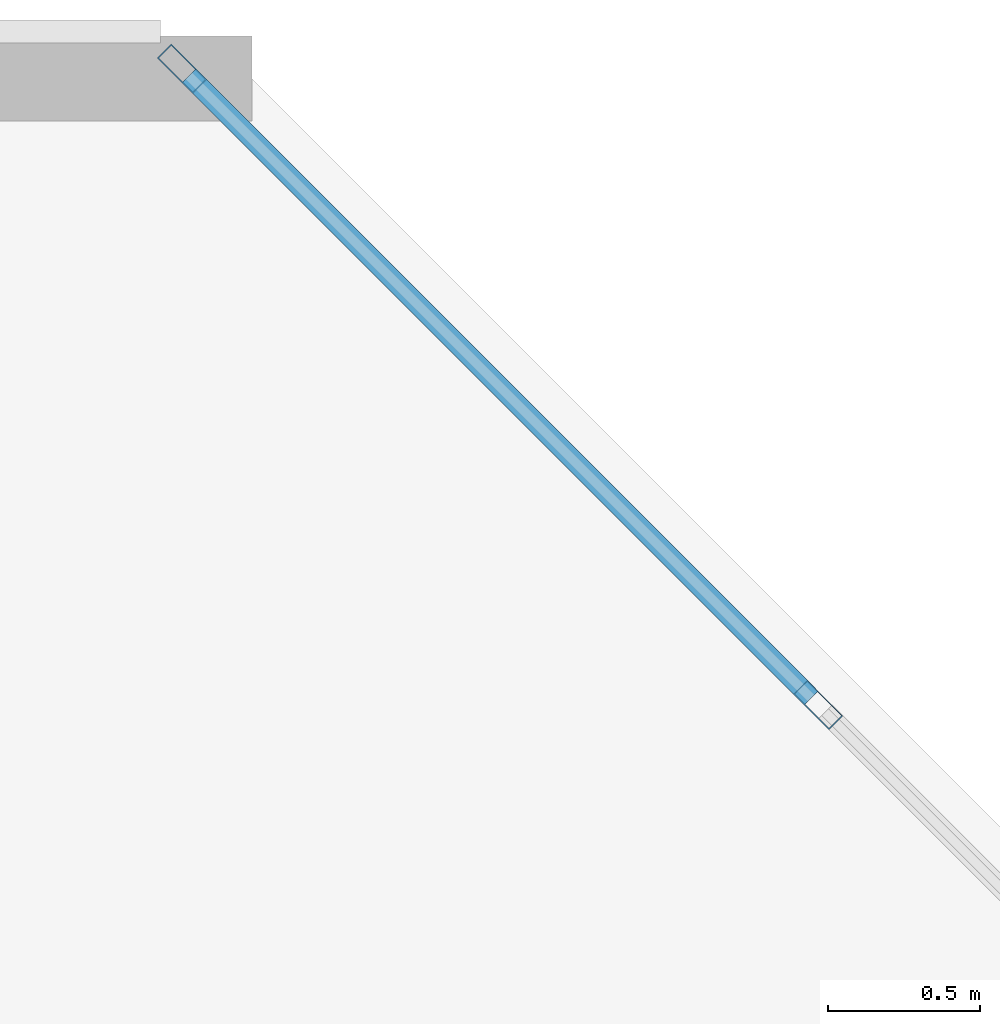
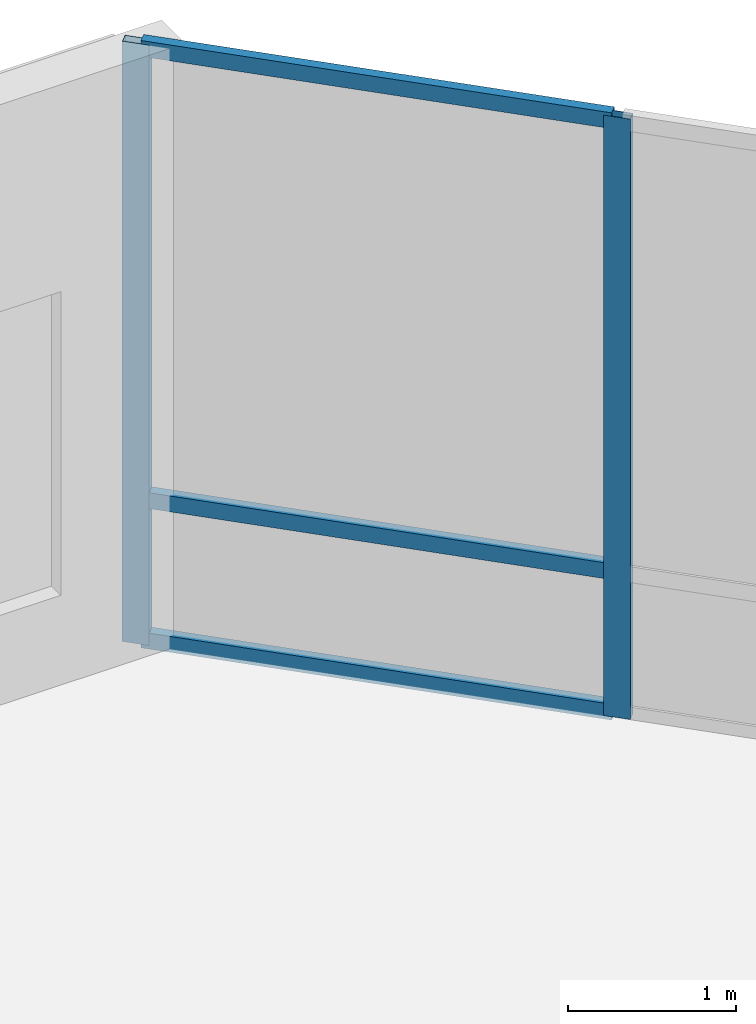
# One storey, part 10 of 20: 5 members, 1 element without a shape of its own.
"""IFC4 building model written with IfcOpenShell, lengths in metres."""

from ifc_helpers import new_model, si_unit, direction, frame, origin, origin_2d, place, context, subcontext, project, spatial, hollow_rectangle, extrude, material, layer, layer_set, material_profile, profile_set, type_object, element, aggregate, save


model = new_model("IFC4")

# Units and contexts
model_context = context("Model", 3, precision=1e-05, world=origin(), true_north=direction((0.0, 1.0)))
body_context = subcontext(model_context, "Body", "Model", "MODEL_VIEW")
ifc_project = project(units=[si_unit("LENGTHUNIT", "METRE"), si_unit("AREAUNIT", "SQUARE_METRE"), si_unit("VOLUMEUNIT", "CUBIC_METRE"), si_unit("PLANEANGLEUNIT", "RADIAN"), si_unit("MASSUNIT", "GRAM", prefix="KILO")], contexts=[model_context])

# Site, building, storey
site_placement = place(None, origin())
site = spatial("IfcSite", under=ifc_project, at=site_placement, CompositionType="ELEMENT")
building_placement = place(site_placement, origin())
building = spatial("IfcBuilding", under=site, at=building_placement, Name="Kestravale Grand Hotel", CompositionType="ELEMENT")
storey_placement = place(building_placement, frame((0.0, 0.0, 231.89990234375)))
storey = spatial("IfcBuildingStorey", under=building, at=storey_placement, Name="L58", CompositionType="ELEMENT", Elevation=231.89990234375)

# Curtain wall, members
ifc_material_1 = material(Name="Thermally broken champagne-bronze aluminium and low-E glazing", Category="aluminium")
ifc_layer = layer(ifc_material_1, 0.179931640625)
ifc_layer_set = layer_set([ifc_layer], Name="CW-Z3")
curtain_wall_type = type_object("IfcCurtainWallType", Name="CW-Z3", PredefinedType="NOTDEFINED", material=ifc_layer_set)
curtain_wall_placement = place(storey_placement, origin())
curtain_wall = element("IfcCurtainWall", 1, at=curtain_wall_placement, inside=storey, type_object=curtain_wall_type, Name="L58 unitised curtain wall 10", PredefinedType="NOTDEFINED")
ifc_material_2 = material(Name="Aluminium 6063-T6 anodised", Category="aluminium")
ifc_material_profile_1 = material_profile(ifc_material_2, hollow_rectangle(XDim=0.06494140625, YDim=0.1650390625, WallThickness=0.00341796875, at=origin_2d()))
ifc_profile_set_1 = profile_set([ifc_material_profile_1], Name="Aluminium 6063-T6 anodised")
member_type_1 = type_object("IfcMemberType", Name="CW-MUL-165", PredefinedType="MULLION", material=ifc_profile_set_1)
member_1_placement = place(storey_placement, frame((69.40087890625, 45.700927734375, 0.0), z_axis=(0.0, 0.0, 1.0), x_axis=(-0.707106781187, -0.707106781187, 0.0)))
member_1 = element("IfcMember", 2, at=member_1_placement, type_object=member_type_1, Name="CW-Z3 mullion 2", PredefinedType="MULLION", context=body_context, shape_type="SweptSolid", body=[
    extrude(hollow_rectangle(XDim=0.06494140625, YDim=0.1650390625, WallThickness=0.00341796875, at=origin_2d()), origin(), (0.0, 0.0, 1.0), 4.35009765625),
])
member_2_placement = place(storey_placement, frame((67.309814453125, 47.792236328125, 0.0), z_axis=(0.0, 0.0, 1.0), x_axis=(-0.707106781187, -0.707106781187, 0.0)))
member_2 = element("IfcMember", 3, at=member_2_placement, type_object=member_type_1, Name="CW-Z3 mullion 3", PredefinedType="MULLION", context=body_context, shape_type="SweptSolid", body=[
    extrude(hollow_rectangle(XDim=0.06494140625, YDim=0.1650390625, WallThickness=0.00341796875, at=origin_2d()), origin(), (0.0, 0.0, 1.0), 4.35009765625),
])
ifc_material_3 = material(Name="Aluminium 6063-T6 anodised", Category="aluminium")
ifc_material_profile_2 = material_profile(ifc_material_3, hollow_rectangle(XDim=0.06494140625, YDim=0.114990234375, WallThickness=0.003173828125, at=origin_2d()))
ifc_profile_set_2 = profile_set([ifc_material_profile_2], Name="Aluminium 6063-T6 anodised")
member_type_2 = type_object("IfcMemberType", Name="CW-TRN-115", PredefinedType="USERDEFINED", material=ifc_profile_set_2)
member_3_placement = place(storey_placement, frame((69.3779296875, 45.723876953125, 0.03271484375), z_axis=(-0.707064577195, 0.707148982659, 0.0), x_axis=(-0.707148982659, -0.707064577195, 0.0)))
member_3 = element("IfcMember", 4, at=member_3_placement, type_object=member_type_2, Name="CW-Z3 transom 2.1", ObjectType="TRANSOM", PredefinedType="USERDEFINED", context=body_context, shape_type="SweptSolid", body=[
    extrude(hollow_rectangle(XDim=0.06494140625, YDim=0.114990234375, WallThickness=0.003173828125, at=origin_2d()), origin(), (0.0, 0.0, 1.0), 2.892578125),
])
member_4_placement = place(storey_placement, frame((69.3779296875, 45.723876953125, 1.050048828125), z_axis=(-0.707064577195, 0.707148982659, 0.0), x_axis=(-0.707148982659, -0.707064577195, 0.0)))
member_4 = element("IfcMember", 5, at=member_4_placement, type_object=member_type_2, Name="CW-Z3 transom 2.2", ObjectType="TRANSOM", PredefinedType="USERDEFINED", context=body_context, shape_type="SweptSolid", body=[
    extrude(hollow_rectangle(XDim=0.06494140625, YDim=0.114990234375, WallThickness=0.003173828125, at=origin_2d()), origin(), (0.0, 0.0, 1.0), 2.892578125),
])
member_5_placement = place(storey_placement, frame((69.3779296875, 45.723876953125, 4.317626953125), z_axis=(-0.707064577195, 0.707148982659, 0.0), x_axis=(-0.707148982659, -0.707064577195, 0.0)))
member_5 = element("IfcMember", 6, at=member_5_placement, type_object=member_type_2, Name="CW-Z3 transom 2.3", ObjectType="TRANSOM", PredefinedType="USERDEFINED", context=body_context, shape_type="SweptSolid", body=[
    extrude(hollow_rectangle(XDim=0.06494140625, YDim=0.114990234375, WallThickness=0.003173828125, at=origin_2d()), origin(), (0.0, 0.0, 1.0), 2.892578125),
])
aggregate(curtain_wall, [member_1, member_2, member_3, member_4, member_5])

save(model, "model.ifc")
